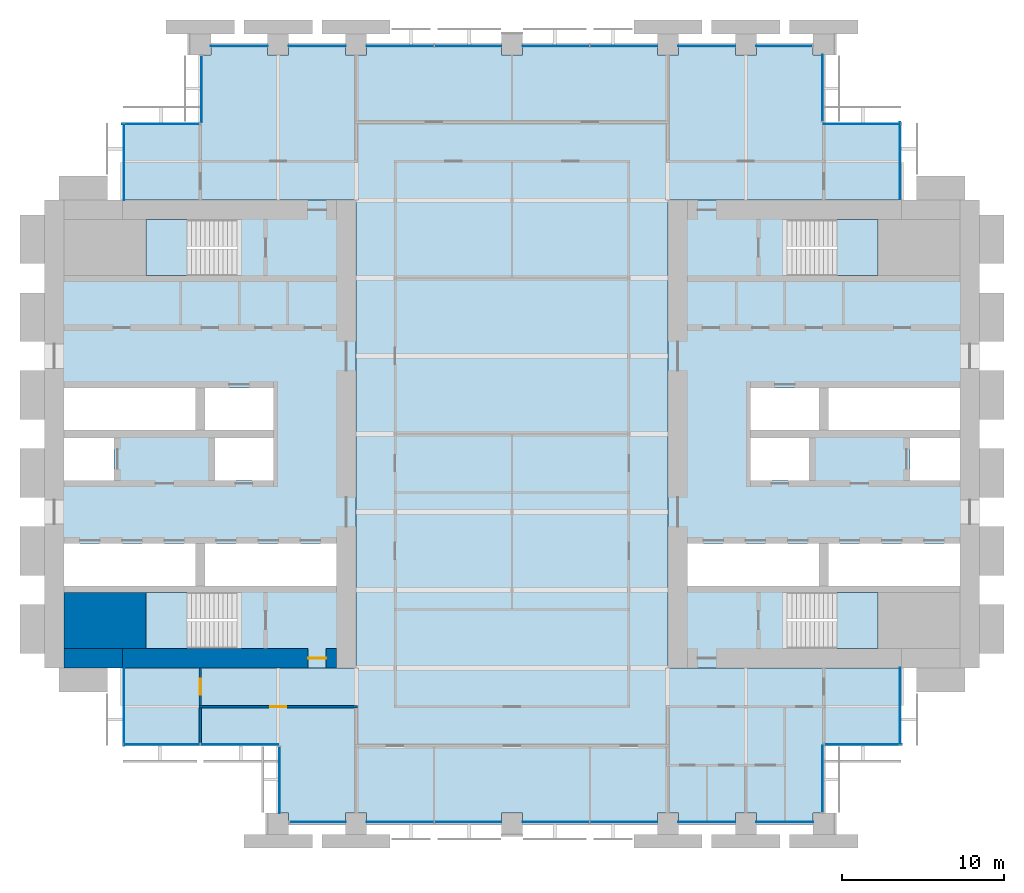
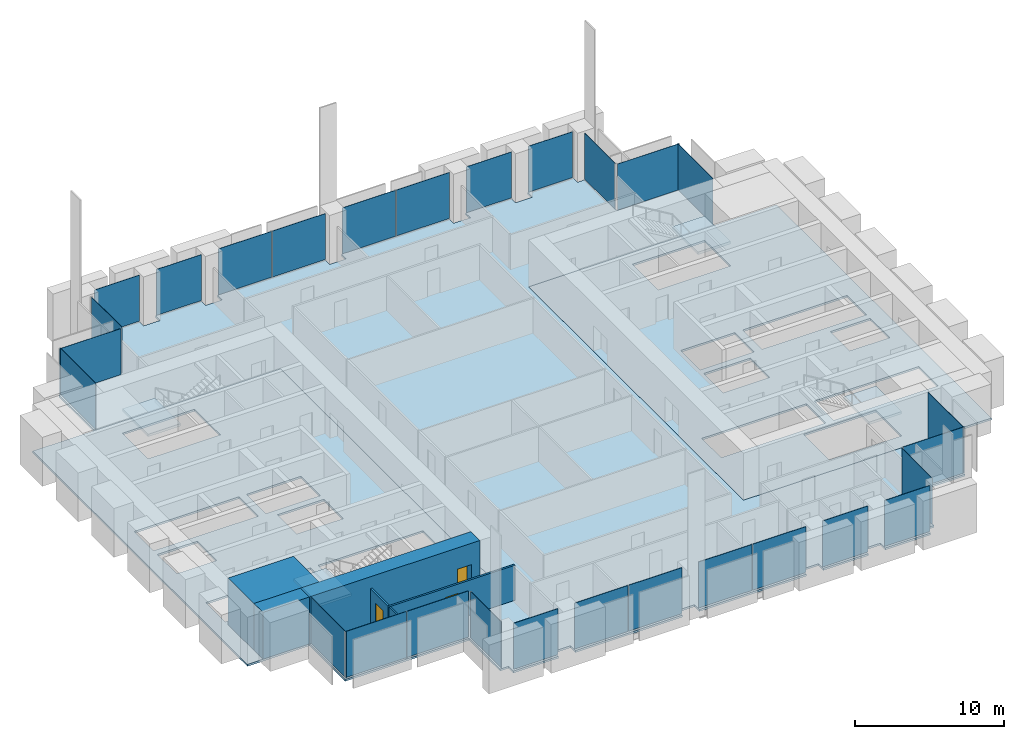
# One storey, part 8 of 14: 28 plates, 7 slabs, 6 walls, 3 doors, 3 openings, 18 elements without a shape of their own.
"""IFC4 building model written with IfcOpenShell, lengths in metres."""

from ifc_helpers import new_model, si_unit, direction, frame, frame_2d, origin, origin_2d, place, context, subcontext, project, spatial, polyline, rectangle, outline, extrude, material, layer, layer_set, type_object, element, fill, aggregate, save


model = new_model("IFC4")

# Units and contexts
model_context = context("Model", 3, precision=1e-05, world=origin(), true_north=direction((0.0, 1.0)))
body_context = subcontext(model_context, "Body", "Model", "MODEL_VIEW")
ifc_project = project(units=[si_unit("LENGTHUNIT", "METRE"), si_unit("AREAUNIT", "SQUARE_METRE"), si_unit("VOLUMEUNIT", "CUBIC_METRE"), si_unit("PLANEANGLEUNIT", "RADIAN"), si_unit("MASSUNIT", "GRAM", prefix="KILO")], contexts=[model_context])

# Site, building, storey
site_placement = place(None, origin())
site = spatial("IfcSite", under=ifc_project, at=site_placement, CompositionType="ELEMENT")
building_placement = place(site_placement, origin())
building = spatial("IfcBuilding", under=site, at=building_placement, Name="Baori Bourse Tower", CompositionType="ELEMENT")
storey_placement = place(building_placement, frame((0.0, 0.0, 51.0)))
storey = spatial("IfcBuildingStorey", under=building, at=storey_placement, Name="L10", CompositionType="ELEMENT", Elevation=51.0)

# Curtain wall, plates
ifc_material_1 = material(Name="Pale anodised aluminium", Category="aluminium")
curtain_wall_type_1 = type_object("IfcCurtainWallType", Name="CW1 Curtain wall", PredefinedType="NOTDEFINED", material=ifc_material_1)
curtain_wall_1_placement = place(storey_placement, origin())
curtain_wall_1 = element("IfcCurtainWall", 1, at=curtain_wall_1_placement, inside=storey, type_object=curtain_wall_type_1, Name="Curtain wall CW1 L10 4", PredefinedType="NOTDEFINED")
ifc_material_2 = material(Name="Clear glass", Category="glass")
ifc_layer_1 = layer(ifc_material_2, 0.033935546875)
ifc_layer_set_1 = layer_set([ifc_layer_1], Name="CW1 Curtain wall panel")
plate_type_1 = type_object("IfcPlateType", Name="CW1 Curtain wall panel", PredefinedType="CURTAIN_PANEL", material=ifc_layer_set_1)
plate_1_placement = place(storey_placement, frame((45.570068359375, 47.89990234375, 0.080078125), z_axis=(0.0, 0.0, 1.0), x_axis=(-1.0, 0.0, 0.0)))
plate_1 = element("IfcPlate", 2, at=plate_1_placement, type_object=plate_type_1, Name="Curtain wall CW1 panel", PredefinedType="CURTAIN_PANEL", context=body_context, shape_type="SweptSolid", body=[
    extrude(rectangle(XDim=3.43994140625, YDim=0.033935546875, at=origin_2d()), origin(), (0.0, 0.0, 1.0), 3.760009765625),
])
plate_2_placement = place(storey_placement, frame((40.800048828125, 47.89990234375, 0.080078125), z_axis=(0.0, 0.0, 1.0), x_axis=(-1.0, 0.0, 0.0)))
plate_2 = element("IfcPlate", 3, at=plate_2_placement, type_object=plate_type_1, Name="Curtain wall CW1 panel", PredefinedType="CURTAIN_PANEL", context=body_context, shape_type="SweptSolid", body=[
    extrude(rectangle(XDim=3.5, YDim=0.033935546875, at=origin_2d()), origin(), (0.0, 0.0, 1.0), 3.760009765625),
])
plate_3_placement = place(storey_placement, frame((35.68994140625, 47.89990234375, 0.080078125), z_axis=(0.0, 0.0, 1.0), x_axis=(-1.0, 0.0, 0.0)))
plate_3 = element("IfcPlate", 4, at=plate_3_placement, type_object=plate_type_1, Name="Curtain wall CW1 panel", PredefinedType="CURTAIN_PANEL", context=body_context, shape_type="SweptSolid", body=[
    extrude(rectangle(XDim=4.1201171875, YDim=0.033935546875, at=origin_2d()), origin(), (0.0, 0.0, 1.0), 3.760009765625),
])
plate_4_placement = place(storey_placement, frame((31.510009765625, 47.89990234375, 0.080078125), z_axis=(0.0, 0.0, 1.0), x_axis=(-1.0, 0.0, 0.0)))
plate_4 = element("IfcPlate", 5, at=plate_4_placement, type_object=plate_type_1, Name="Curtain wall CW1 panel", PredefinedType="CURTAIN_PANEL", context=body_context, shape_type="SweptSolid", body=[
    extrude(rectangle(XDim=4.1201171875, YDim=0.033935546875, at=origin_2d()), origin(), (0.0, 0.0, 1.0), 3.760009765625),
])
plate_5_placement = place(storey_placement, frame((26.090087890625, 47.89990234375, 0.080078125), z_axis=(0.0, 0.0, 1.0), x_axis=(-1.0, 0.0, 0.0)))
plate_5 = element("IfcPlate", 6, at=plate_5_placement, type_object=plate_type_1, Name="Curtain wall CW1 panel", PredefinedType="CURTAIN_PANEL", context=body_context, shape_type="SweptSolid", body=[
    extrude(rectangle(XDim=4.1201171875, YDim=0.033935546875, at=origin_2d()), origin(), (0.0, 0.0, 1.0), 3.760009765625),
])
plate_6_placement = place(storey_placement, frame((21.909912109375, 47.89990234375, 0.080078125), z_axis=(0.0, 0.0, 1.0), x_axis=(-1.0, 0.0, 0.0)))
plate_6 = element("IfcPlate", 7, at=plate_6_placement, type_object=plate_type_1, Name="Curtain wall CW1 panel", PredefinedType="CURTAIN_PANEL", context=body_context, shape_type="SweptSolid", body=[
    extrude(rectangle(XDim=4.1201171875, YDim=0.033935546875, at=origin_2d()), origin(), (0.0, 0.0, 1.0), 3.760009765625),
])
plate_7_placement = place(storey_placement, frame((16.800048828125, 47.89990234375, 0.080078125), z_axis=(0.0, 0.0, 1.0), x_axis=(-1.0, 0.0, 0.0)))
plate_7 = element("IfcPlate", 8, at=plate_7_placement, type_object=plate_type_1, Name="Curtain wall CW1 panel", PredefinedType="CURTAIN_PANEL", context=body_context, shape_type="SweptSolid", body=[
    extrude(rectangle(XDim=3.5, YDim=0.033935546875, at=origin_2d()), origin(), (0.0, 0.0, 1.0), 3.760009765625),
])
plate_8_placement = place(storey_placement, frame((12.0, 47.89990234375, 0.080078125), z_axis=(0.0, 0.0, 1.0), x_axis=(-1.0, 0.0, 0.0)))
plate_8 = element("IfcPlate", 9, at=plate_8_placement, type_object=plate_type_1, Name="Curtain wall CW1 panel", PredefinedType="CURTAIN_PANEL", context=body_context, shape_type="SweptSolid", body=[
    extrude(rectangle(XDim=3.5, YDim=0.033935546875, at=origin_2d()), origin(), (0.0, 0.0, 1.0), 3.760009765625),
])
aggregate(curtain_wall_1, [plate_1, plate_2, plate_3, plate_4, plate_5, plate_6, plate_7, plate_8])

curtain_wall_2_placement = place(storey_placement, origin())
curtain_wall_2 = element("IfcCurtainWall", 10, at=curtain_wall_2_placement, inside=storey, type_object=curtain_wall_type_1, Name="Curtain wall CW1 L10 11", PredefinedType="NOTDEFINED")
plate_9_placement = place(storey_placement, frame((16.830078125, 0.10009765625, 0.080078125), z_axis=(0.0, 0.0, 1.0), x_axis=(1.0, 0.0, 0.0)))
plate_9 = element("IfcPlate", 11, at=plate_9_placement, type_object=plate_type_1, Name="Curtain wall CW1 panel", PredefinedType="CURTAIN_PANEL", context=body_context, shape_type="SweptSolid", body=[
    extrude(rectangle(XDim=3.43994140625, YDim=0.033935546875, at=origin_2d()), origin(), (0.0, 0.0, 1.0), 3.760009765625),
])
plate_10_placement = place(storey_placement, frame((21.909912109375, 0.10009765625, 0.080078125), z_axis=(0.0, 0.0, 1.0), x_axis=(1.0, 0.0, 0.0)))
plate_10 = element("IfcPlate", 12, at=plate_10_placement, type_object=plate_type_1, Name="Curtain wall CW1 panel", PredefinedType="CURTAIN_PANEL", context=body_context, shape_type="SweptSolid", body=[
    extrude(rectangle(XDim=4.1201171875, YDim=0.033935546875, at=origin_2d()), origin(), (0.0, 0.0, 1.0), 3.760009765625),
])
plate_11_placement = place(storey_placement, frame((26.090087890625, 0.10009765625, 0.080078125), z_axis=(0.0, 0.0, 1.0), x_axis=(1.0, 0.0, 0.0)))
plate_11 = element("IfcPlate", 13, at=plate_11_placement, type_object=plate_type_1, Name="Curtain wall CW1 panel", PredefinedType="CURTAIN_PANEL", context=body_context, shape_type="SweptSolid", body=[
    extrude(rectangle(XDim=4.1201171875, YDim=0.033935546875, at=origin_2d()), origin(), (0.0, 0.0, 1.0), 3.760009765625),
])
plate_12_placement = place(storey_placement, frame((31.510009765625, 0.10009765625, 0.080078125), z_axis=(0.0, 0.0, 1.0), x_axis=(1.0, 0.0, 0.0)))
plate_12 = element("IfcPlate", 14, at=plate_12_placement, type_object=plate_type_1, Name="Curtain wall CW1 panel", PredefinedType="CURTAIN_PANEL", context=body_context, shape_type="SweptSolid", body=[
    extrude(rectangle(XDim=4.1201171875, YDim=0.033935546875, at=origin_2d()), origin(), (0.0, 0.0, 1.0), 3.760009765625),
])
plate_13_placement = place(storey_placement, frame((35.68994140625, 0.10009765625, 0.080078125), z_axis=(0.0, 0.0, 1.0), x_axis=(1.0, 0.0, 0.0)))
plate_13 = element("IfcPlate", 15, at=plate_13_placement, type_object=plate_type_1, Name="Curtain wall CW1 panel", PredefinedType="CURTAIN_PANEL", context=body_context, shape_type="SweptSolid", body=[
    extrude(rectangle(XDim=4.1201171875, YDim=0.033935546875, at=origin_2d()), origin(), (0.0, 0.0, 1.0), 3.760009765625),
])
plate_14_placement = place(storey_placement, frame((40.800048828125, 0.10009765625, 0.080078125), z_axis=(0.0, 0.0, 1.0), x_axis=(1.0, 0.0, 0.0)))
plate_14 = element("IfcPlate", 16, at=plate_14_placement, type_object=plate_type_1, Name="Curtain wall CW1 panel", PredefinedType="CURTAIN_PANEL", context=body_context, shape_type="SweptSolid", body=[
    extrude(rectangle(XDim=3.5, YDim=0.033935546875, at=origin_2d()), origin(), (0.0, 0.0, 1.0), 3.760009765625),
])
plate_15_placement = place(storey_placement, frame((45.60009765625, 0.10009765625, 0.080078125), z_axis=(0.0, 0.0, 1.0), x_axis=(1.0, 0.0, 0.0)))
plate_15 = element("IfcPlate", 17, at=plate_15_placement, type_object=plate_type_1, Name="Curtain wall CW1 panel", PredefinedType="CURTAIN_PANEL", context=body_context, shape_type="SweptSolid", body=[
    extrude(rectangle(XDim=3.5, YDim=0.033935546875, at=origin_2d()), origin(), (0.0, 0.0, 1.0), 3.760009765625),
])
aggregate(curtain_wall_2, [plate_9, plate_10, plate_11, plate_12, plate_13, plate_14, plate_15])

# Curtain wall, plate
ifc_material_3 = material(Name="Pale anodised aluminium", Category="aluminium")
curtain_wall_type_2 = type_object("IfcCurtainWallType", Name="CW2 Curtain wall", PredefinedType="NOTDEFINED", material=ifc_material_3)
curtain_wall_3_placement = place(storey_placement, origin())
curtain_wall_3 = element("IfcCurtainWall", 18, at=curtain_wall_3_placement, inside=storey, type_object=curtain_wall_type_2, Name="Curtain wall CW2 L10 1", PredefinedType="NOTDEFINED")
ifc_material_4 = material(Name="Clear glass", Category="glass")
ifc_layer_2 = layer(ifc_material_4, 0.030029296875)
ifc_layer_set_2 = layer_set([ifc_layer_2], Name="CW2 Curtain wall panel")
plate_type_2 = type_object("IfcPlateType", Name="CW2 Curtain wall panel", PredefinedType="CURTAIN_PANEL", material=ifc_layer_set_2)
plate_16_placement = place(storey_placement, frame((52.7099609375, 40.827392578125, 0.070068359375), z_axis=(0.0, 0.0, 1.0), x_axis=(0.0, 1.0, 0.0)))
plate_16 = element("IfcPlate", 19, at=plate_16_placement, type_object=plate_type_2, Name="Curtain wall CW2 panel", PredefinedType="CURTAIN_PANEL", context=body_context, shape_type="SweptSolid", body=[
    extrude(rectangle(XDim=4.7451171875, YDim=0.030029296875, at=origin_2d()), origin(), (0.0, 0.0, 1.0), 3.77001953125),
])
aggregate(curtain_wall_3, [plate_16])

curtain_wall_4_placement = place(storey_placement, origin())
curtain_wall_4 = element("IfcCurtainWall", 20, at=curtain_wall_4_placement, inside=storey, type_object=curtain_wall_type_2, Name="Curtain wall CW2 L10 2", PredefinedType="NOTDEFINED")
plate_17_placement = place(storey_placement, frame((50.37255859375, 43.110107421875, 0.070068359375), z_axis=(0.0, 0.0, 1.0), x_axis=(-1.0, 0.0, 0.0)))
plate_17 = element("IfcPlate", 21, at=plate_17_placement, type_object=plate_type_2, Name="Curtain wall CW2 panel", PredefinedType="CURTAIN_PANEL", context=body_context, shape_type="SweptSolid", body=[
    extrude(rectangle(XDim=4.7451171875, YDim=0.030029296875, at=origin_2d()), origin(), (0.0, 0.0, 1.0), 3.77001953125),
])
aggregate(curtain_wall_4, [plate_17])

curtain_wall_5_placement = place(storey_placement, origin())
curtain_wall_5 = element("IfcCurtainWall", 22, at=curtain_wall_5_placement, inside=storey, type_object=curtain_wall_type_2, Name="Curtain wall CW2 L10 3", PredefinedType="NOTDEFINED")
plate_18_placement = place(storey_placement, frame((47.909912109375, 45.302490234375, 0.070068359375), z_axis=(0.0, 0.0, 1.0), x_axis=(0.0, 1.0, 0.0)))
plate_18 = element("IfcPlate", 23, at=plate_18_placement, type_object=plate_type_2, Name="Curtain wall CW2 panel", PredefinedType="CURTAIN_PANEL", context=body_context, shape_type="SweptSolid", body=[
    extrude(rectangle(XDim=4.094970703125, YDim=0.030029296875, at=origin_2d()), origin(), (0.0, 0.0, 1.0), 3.77001953125),
])
aggregate(curtain_wall_5, [plate_18])

curtain_wall_6_placement = place(storey_placement, origin())
curtain_wall_6 = element("IfcCurtainWall", 24, at=curtain_wall_6_placement, inside=storey, type_object=curtain_wall_type_2, Name="Curtain wall CW2 L10 5", PredefinedType="NOTDEFINED")
plate_19_placement = place(storey_placement, frame((9.68994140625, 45.24755859375, 0.070068359375), z_axis=(0.0, 0.0, 1.0), x_axis=(0.0, -1.0, 0.0)))
plate_19 = element("IfcPlate", 25, at=plate_19_placement, type_object=plate_type_2, Name="Curtain wall CW2 panel", PredefinedType="CURTAIN_PANEL", context=body_context, shape_type="SweptSolid", body=[
    extrude(rectangle(XDim=4.094970703125, YDim=0.030029296875, at=origin_2d()), origin(), (0.0, 0.0, 1.0), 3.77001953125),
])
aggregate(curtain_wall_6, [plate_19])

curtain_wall_7_placement = place(storey_placement, origin())
curtain_wall_7 = element("IfcCurtainWall", 26, at=curtain_wall_7_placement, inside=storey, type_object=curtain_wall_type_2, Name="Curtain wall CW2 L10 6", PredefinedType="NOTDEFINED")
plate_20_placement = place(storey_placement, frame((7.172607421875, 43.110107421875, 0.070068359375), z_axis=(0.0, 0.0, 1.0), x_axis=(-1.0, 0.0, 0.0)))
plate_20 = element("IfcPlate", 27, at=plate_20_placement, type_object=plate_type_2, Name="Curtain wall CW2 panel", PredefinedType="CURTAIN_PANEL", context=body_context, shape_type="SweptSolid", body=[
    extrude(rectangle(XDim=4.7451171875, YDim=0.030029296875, at=origin_2d()), origin(), (0.0, 0.0, 1.0), 3.77001953125),
])
aggregate(curtain_wall_7, [plate_20])

curtain_wall_8_placement = place(storey_placement, origin())
curtain_wall_8 = element("IfcCurtainWall", 28, at=curtain_wall_8_placement, inside=storey, type_object=curtain_wall_type_2, Name="Curtain wall CW2 L10 7", PredefinedType="NOTDEFINED")
plate_21_placement = place(storey_placement, frame((4.889892578125, 40.7724609375, 0.070068359375), z_axis=(0.0, 0.0, 1.0), x_axis=(0.0, -1.0, 0.0)))
plate_21 = element("IfcPlate", 29, at=plate_21_placement, type_object=plate_type_2, Name="Curtain wall CW2 panel", PredefinedType="CURTAIN_PANEL", context=body_context, shape_type="SweptSolid", body=[
    extrude(rectangle(XDim=4.7451171875, YDim=0.030029296875, at=origin_2d()), origin(), (0.0, 0.0, 1.0), 3.77001953125),
])
aggregate(curtain_wall_8, [plate_21])

curtain_wall_9_placement = place(storey_placement, origin())
curtain_wall_9 = element("IfcCurtainWall", 30, at=curtain_wall_9_placement, inside=storey, type_object=curtain_wall_type_2, Name="Curtain wall CW2 L10 8", PredefinedType="NOTDEFINED")
plate_22_placement = place(storey_placement, frame((4.889892578125, 7.172607421875, 0.070068359375), z_axis=(0.0, 0.0, 1.0), x_axis=(0.0, -1.0, 0.0)))
plate_22 = element("IfcPlate", 31, at=plate_22_placement, type_object=plate_type_2, Name="Curtain wall CW2 panel", PredefinedType="CURTAIN_PANEL", context=body_context, shape_type="SweptSolid", body=[
    extrude(rectangle(XDim=4.7451171875, YDim=0.030029296875, at=origin_2d()), origin(), (0.0, 0.0, 1.0), 3.77001953125),
])
aggregate(curtain_wall_9, [plate_22])

# Curtain wall, plates
curtain_wall_10_placement = place(storey_placement, origin())
curtain_wall_10 = element("IfcCurtainWall", 32, at=curtain_wall_10_placement, inside=storey, type_object=curtain_wall_type_2, Name="Curtain wall CW2 L10 9", PredefinedType="NOTDEFINED")
plate_23_placement = place(storey_placement, frame((7.2138671875, 4.889892578125, 0.070068359375), z_axis=(0.0, 0.0, 1.0), x_axis=(1.0, 0.0, 0.0)))
plate_23 = element("IfcPlate", 33, at=plate_23_placement, type_object=plate_type_2, Name="Curtain wall CW2 panel", PredefinedType="CURTAIN_PANEL", context=body_context, shape_type="SweptSolid", body=[
    extrude(rectangle(XDim=4.717529296875, YDim=0.030029296875, at=origin_2d()), origin(), (0.0, 0.0, 1.0), 3.77001953125),
])
plate_24_placement = place(storey_placement, frame((12.013671875, 4.889892578125, 0.070068359375), z_axis=(0.0, 0.0, 1.0), x_axis=(1.0, 0.0, 0.0)))
plate_24 = element("IfcPlate", 34, at=plate_24_placement, type_object=plate_type_2, Name="Curtain wall CW2 panel", PredefinedType="CURTAIN_PANEL", context=body_context, shape_type="SweptSolid", body=[
    extrude(rectangle(XDim=4.7724609375, YDim=0.030029296875, at=origin_2d()), origin(), (0.0, 0.0, 1.0), 3.77001953125),
])
aggregate(curtain_wall_10, [plate_23, plate_24])

# Curtain wall, plate
curtain_wall_11_placement = place(storey_placement, origin())
curtain_wall_11 = element("IfcCurtainWall", 35, at=curtain_wall_11_placement, inside=storey, type_object=curtain_wall_type_2, Name="Curtain wall CW2 L10 10", PredefinedType="NOTDEFINED")
plate_25_placement = place(storey_placement, frame((14.489990234375, 2.697509765625, 0.070068359375), z_axis=(0.0, 0.0, 1.0), x_axis=(0.0, -1.0, 0.0)))
plate_25 = element("IfcPlate", 36, at=plate_25_placement, type_object=plate_type_2, Name="Curtain wall CW2 panel", PredefinedType="CURTAIN_PANEL", context=body_context, shape_type="SweptSolid", body=[
    extrude(rectangle(XDim=4.094970703125, YDim=0.030029296875, at=origin_2d()), origin(), (0.0, 0.0, 1.0), 3.77001953125),
])
aggregate(curtain_wall_11, [plate_25])

curtain_wall_12_placement = place(storey_placement, origin())
curtain_wall_12 = element("IfcCurtainWall", 37, at=curtain_wall_12_placement, inside=storey, type_object=curtain_wall_type_2, Name="Curtain wall CW2 L10 12", PredefinedType="NOTDEFINED")
plate_26_placement = place(storey_placement, frame((47.909912109375, 2.75244140625, 0.070068359375), z_axis=(0.0, 0.0, 1.0), x_axis=(0.0, 1.0, 0.0)))
plate_26 = element("IfcPlate", 38, at=plate_26_placement, type_object=plate_type_2, Name="Curtain wall CW2 panel", PredefinedType="CURTAIN_PANEL", context=body_context, shape_type="SweptSolid", body=[
    extrude(rectangle(XDim=4.094970703125, YDim=0.030029296875, at=origin_2d()), origin(), (0.0, 0.0, 1.0), 3.77001953125),
])
aggregate(curtain_wall_12, [plate_26])

curtain_wall_13_placement = place(storey_placement, origin())
curtain_wall_13 = element("IfcCurtainWall", 39, at=curtain_wall_13_placement, inside=storey, type_object=curtain_wall_type_2, Name="Curtain wall CW2 L10 13", PredefinedType="NOTDEFINED")
plate_27_placement = place(storey_placement, frame((50.427490234375, 4.889892578125, 0.070068359375), z_axis=(0.0, 0.0, 1.0), x_axis=(1.0, 0.0, 0.0)))
plate_27 = element("IfcPlate", 40, at=plate_27_placement, type_object=plate_type_2, Name="Curtain wall CW2 panel", PredefinedType="CURTAIN_PANEL", context=body_context, shape_type="SweptSolid", body=[
    extrude(rectangle(XDim=4.7451171875, YDim=0.030029296875, at=origin_2d()), origin(), (0.0, 0.0, 1.0), 3.77001953125),
])
aggregate(curtain_wall_13, [plate_27])

curtain_wall_14_placement = place(storey_placement, origin())
curtain_wall_14 = element("IfcCurtainWall", 41, at=curtain_wall_14_placement, inside=storey, type_object=curtain_wall_type_2, Name="Curtain wall CW2 L10 14", PredefinedType="NOTDEFINED")
plate_28_placement = place(storey_placement, frame((52.7099609375, 7.2275390625, 0.070068359375), z_axis=(0.0, 0.0, 1.0), x_axis=(0.0, 1.0, 0.0)))
plate_28 = element("IfcPlate", 42, at=plate_28_placement, type_object=plate_type_2, Name="Curtain wall CW2 panel", PredefinedType="CURTAIN_PANEL", context=body_context, shape_type="SweptSolid", body=[
    extrude(rectangle(XDim=4.7451171875, YDim=0.030029296875, at=origin_2d()), origin(), (0.0, 0.0, 1.0), 3.77001953125),
])
aggregate(curtain_wall_14, [plate_28])

# Slabs
ifc_material_5 = material(Name="Concrete f'c 50 MPa", Category="concrete")
ifc_layer_3 = layer(ifc_material_5, 0.159912109375)
ifc_layer_set_3 = layer_set([ifc_layer_3], Name="Core slab 160")
slab_type_1 = type_object("IfcSlabType", Name="Core slab 160", PredefinedType="FLOOR", material=ifc_layer_set_3)
slab_1_placement = place(storey_placement, frame((0.0, 0.0, -0.159912109375)))
element("IfcSlab", 43, at=slab_1_placement, inside=storey, type_object=slab_type_1, Name="Core floor slab W01", PredefinedType="FLOOR", context=body_context, shape_type="SweptSolid", body=[
    extrude(outline(polyline([(19.199951171875, 9.60009765625), (19.199951171875, 38.39990234375), (0.0, 38.39990234375), (0.0, 9.60009765625), (19.199951171875, 9.60009765625)]), holes=[polyline([(9.89990234375, 14.64990234375), (9.89990234375, 17.25), (18.0, 17.25), (18.0, 14.64990234375), (9.89990234375, 14.64990234375)]), polyline([(10.5, 21.14990234375), (10.5, 23.75), (14.10009765625, 23.75), (14.10009765625, 21.14990234375), (10.5, 21.14990234375)]), polyline([(14.10009765625, 24.25), (9.89990234375, 24.25), (9.89990234375, 26.85009765625), (14.10009765625, 26.85009765625), (14.10009765625, 24.25)]), polyline([(6.25, 14.25), (11.84912109375, 14.25), (11.84912109375, 10.800048828125), (6.25, 10.800048828125), (6.25, 14.25)]), polyline([(11.84912109375, 37.199951171875), (11.84912109375, 33.75), (6.25, 33.75), (6.25, 37.199951171875), (11.84912109375, 37.199951171875)]), polyline([(1.199951171875, 26.85009765625), (9.300048828125, 26.85009765625), (9.300048828125, 24.25), (1.199951171875, 24.25), (1.199951171875, 26.85009765625)]), polyline([(9.300048828125, 14.64990234375), (1.199951171875, 14.64990234375), (1.199951171875, 17.25), (9.300048828125, 17.25), (9.300048828125, 14.64990234375)]), polyline([(4.300048828125, 23.75), (4.300048828125, 21.14990234375), (1.199951171875, 21.14990234375), (1.199951171875, 23.75), (4.300048828125, 23.75)])]), origin(), (0.0, 0.0, 1.0), 0.159912109375),
])
slab_2_placement = place(storey_placement, frame((0.0, 0.0, -0.159912109375)))
element("IfcSlab", 44, at=slab_2_placement, inside=storey, type_object=slab_type_1, Name="Core floor slab E01", PredefinedType="FLOOR", context=body_context, shape_type="SweptSolid", body=[
    extrude(outline(polyline([(38.39990234375, 9.60009765625), (57.60009765625, 9.60009765625), (57.60009765625, 38.39990234375), (38.39990234375, 38.39990234375), (38.39990234375, 9.60009765625)]), holes=[polyline([(48.300048828125, 14.64990234375), (48.300048828125, 17.25), (56.39990234375, 17.25), (56.39990234375, 14.64990234375), (48.300048828125, 14.64990234375)]), polyline([(56.39990234375, 21.14990234375), (53.300048828125, 21.14990234375), (53.300048828125, 23.75), (56.39990234375, 23.75), (56.39990234375, 21.14990234375)]), polyline([(56.39990234375, 26.85009765625), (56.39990234375, 24.25), (48.300048828125, 24.25), (48.300048828125, 26.85009765625), (56.39990234375, 26.85009765625)]), polyline([(45.750732421875, 14.25), (51.35009765625, 14.25), (51.35009765625, 10.800048828125), (45.750732421875, 10.800048828125), (45.750732421875, 14.25)]), polyline([(51.35009765625, 37.199951171875), (51.35009765625, 33.75), (45.750732421875, 33.75), (45.750732421875, 37.199951171875), (51.35009765625, 37.199951171875)]), polyline([(39.60009765625, 17.25), (47.699951171875, 17.25), (47.699951171875, 14.64990234375), (39.60009765625, 14.64990234375), (39.60009765625, 17.25)]), polyline([(43.5, 24.25), (43.5, 26.85009765625), (47.699951171875, 26.85009765625), (47.699951171875, 24.25), (43.5, 24.25)]), polyline([(43.5, 23.75), (47.10009765625, 23.75), (47.10009765625, 21.14990234375), (43.5, 21.14990234375), (43.5, 23.75)])]), origin(), (0.0, 0.0, 1.0), 0.159912109375),
])

# Stair, slab
ifc_material_6 = material(Name="Concrete f'c 50 MPa", Category="concrete")
stair_type = type_object("IfcStairType", Name="Core stair", PredefinedType="HALF_TURN_STAIR", material=ifc_material_6)
stair_1_placement = place(storey_placement, origin())
stair_1 = element("IfcStair", 45, at=stair_1_placement, inside=storey, type_object=stair_type, Name="L10 Stair WA", PredefinedType="HALF_TURN_STAIR")
ifc_material_7 = material(Name="Concrete f'c 50 MPa", Category="concrete")
slab_type_2 = type_object("IfcSlabType", Name="Core stair landing", PredefinedType="LANDING", material=ifc_material_7)
slab_3_placement = place(storey_placement, frame((0.0, 0.0, 1.800048828125)))
slab_3 = element("IfcSlab", 46, at=slab_3_placement, type_object=slab_type_2, Name="ST1 landing 1", PredefinedType="LANDING", context=body_context, shape_type="SweptSolid", body=[
    extrude(outline(polyline([(8.77001953125, 14.25), (6.25, 14.25), (6.25, 10.800048828125), (8.77001953125, 10.800048828125), (8.77001953125, 14.25)])), origin(), (0.0, 0.0, 1.0), 0.199951171875),
])
aggregate(stair_1, [slab_3])

stair_2_placement = place(storey_placement, origin())
stair_2 = element("IfcStair", 47, at=stair_2_placement, inside=storey, type_object=stair_type, Name="L10 Stair WB", PredefinedType="HALF_TURN_STAIR")
slab_4_placement = place(storey_placement, frame((0.0, 0.0, 1.800048828125)))
slab_4 = element("IfcSlab", 48, at=slab_4_placement, type_object=slab_type_2, Name="ST2 landing 1", PredefinedType="LANDING", context=body_context, shape_type="SweptSolid", body=[
    extrude(outline(polyline([(8.77001953125, 37.199951171875), (6.25, 37.199951171875), (6.25, 33.75), (8.77001953125, 33.75), (8.77001953125, 37.199951171875)])), origin(), (0.0, 0.0, 1.0), 0.199951171875),
])
aggregate(stair_2, [slab_4])

stair_3_placement = place(storey_placement, origin())
stair_3 = element("IfcStair", 49, at=stair_3_placement, inside=storey, type_object=stair_type, Name="L10 Stair EA", PredefinedType="HALF_TURN_STAIR")
slab_5_placement = place(storey_placement, frame((0.0, 0.0, 1.800048828125)))
slab_5 = element("IfcSlab", 50, at=slab_5_placement, type_object=slab_type_2, Name="ST3 landing 1", PredefinedType="LANDING", context=body_context, shape_type="SweptSolid", body=[
    extrude(outline(polyline([(48.830078125, 10.800048828125), (51.35009765625, 10.800048828125), (51.35009765625, 14.25), (48.830078125, 14.25), (48.830078125, 10.800048828125)])), origin(), (0.0, 0.0, 1.0), 0.199951171875),
])
aggregate(stair_3, [slab_5])

stair_4_placement = place(storey_placement, origin())
stair_4 = element("IfcStair", 51, at=stair_4_placement, inside=storey, type_object=stair_type, Name="L10 Stair EB", PredefinedType="HALF_TURN_STAIR")
slab_6_placement = place(storey_placement, frame((0.0, 0.0, 1.800048828125)))
slab_6 = element("IfcSlab", 52, at=slab_6_placement, type_object=slab_type_2, Name="ST4 landing 1", PredefinedType="LANDING", context=body_context, shape_type="SweptSolid", body=[
    extrude(outline(polyline([(48.830078125, 33.75), (51.35009765625, 33.75), (51.35009765625, 37.199951171875), (48.830078125, 37.199951171875), (48.830078125, 33.75)])), origin(), (0.0, 0.0, 1.0), 0.199951171875),
])
aggregate(stair_4, [slab_6])

# Slab
ifc_material_8 = material(Name="Concrete f'c 40 MPa", Category="concrete")
ifc_layer_4 = layer(ifc_material_8, 0.159912109375)
ifc_layer_set_4 = layer_set([ifc_layer_4], Name="Floor slab 160")
slab_type_3 = type_object("IfcSlabType", Name="Floor slab 160", PredefinedType="FLOOR", material=ifc_layer_set_4)
slab_7_placement = place(storey_placement, frame((0.0, 0.0, -0.159912109375)))
element("IfcSlab", 53, at=slab_7_placement, inside=storey, type_object=slab_type_3, Name="Floor slab L10", PredefinedType="FLOOR", context=body_context, shape_type="SweptSolid", body=[
    extrude(outline(polyline([(14.39990234375, 4.800048828125), (4.800048828125, 4.800048828125), (4.800048828125, 9.60009765625), (19.199951171875, 9.60009765625), (19.199951171875, 38.39990234375), (4.800048828125, 38.39990234375), (4.800048828125, 43.199951171875), (9.60009765625, 43.199951171875), (9.60009765625, 47.35009765625), (10.25, 47.35009765625), (10.25, 48.0), (13.75, 48.0), (13.75, 47.35009765625), (15.050048828125, 47.35009765625), (15.050048828125, 48.0), (18.550048828125, 48.0), (18.550048828125, 47.35009765625), (19.85009765625, 47.35009765625), (19.85009765625, 48.0), (28.14990234375, 48.0), (28.14990234375, 47.35009765625), (29.449951171875, 47.35009765625), (29.449951171875, 48.0), (37.75, 48.0), (37.75, 47.35009765625), (39.050048828125, 47.35009765625), (39.050048828125, 48.0), (42.550048828125, 48.0), (42.550048828125, 47.35009765625), (43.85009765625, 47.35009765625), (43.85009765625, 48.0), (47.35009765625, 48.0), (47.35009765625, 47.35009765625), (48.0, 47.35009765625), (48.0, 43.199951171875), (52.800048828125, 43.199951171875), (52.800048828125, 38.39990234375), (38.39990234375, 38.39990234375), (38.39990234375, 9.60009765625), (52.800048828125, 9.60009765625), (52.800048828125, 4.800048828125), (48.0, 4.800048828125), (48.0, 0.64990234375), (47.35009765625, 0.64990234375), (47.35009765625, 0.0), (43.85009765625, 0.0), (43.85009765625, 0.64990234375), (42.550048828125, 0.64990234375), (42.550048828125, 0.0), (39.050048828125, 0.0), (39.050048828125, 0.64990234375), (37.75, 0.64990234375), (37.75, 0.0), (29.449951171875, 0.0), (29.449951171875, 0.64990234375), (28.14990234375, 0.64990234375), (28.14990234375, 0.0), (19.85009765625, 0.0), (19.85009765625, 0.64990234375), (18.550048828125, 0.64990234375), (18.550048828125, 0.0), (15.050048828125, 0.0), (15.050048828125, 0.64990234375), (14.39990234375, 0.64990234375), (14.39990234375, 4.800048828125)])), origin(), (0.0, 0.0, 1.0), 0.159912109375),
])

# Walls
ifc_material_9 = material(Name="Concrete f'c 70 MPa", Category="concrete")
wall_type_1 = type_object("IfcWallType", Name="Core corner block f'c 70", PredefinedType="SHEAR", material=ifc_material_9)
wall_1_placement = place(storey_placement, frame((1.199951171875, 12.52490234375, 0.0), z_axis=(0.0, 0.0, 1.0), x_axis=(1.0, 0.0, 0.0)))
element("IfcWall", 54, at=wall_1_placement, inside=storey, type_object=wall_type_1, Name="Core wall W05", PredefinedType="SHEAR", context=body_context, shape_type="SweptSolid", body=[
    extrude(rectangle(XDim=5.050048828125, YDim=3.449951171875, at=frame_2d((2.52490234375, 0.0))), origin(), (0.0, 0.0, 1.0), 3.840087890625),
])
ifc_material_10 = material(Name="Concrete f'c 70 MPa", Category="concrete")
ifc_layer_5 = layer(ifc_material_10, 1.199951171875)
ifc_layer_set_5 = layer_set([ifc_layer_5], Name="Core wall 1200 f'c 70")
wall_type_2 = type_object("IfcWallType", Name="Core wall 1200 f'c 70", PredefinedType="SHEAR", material=ifc_layer_set_5)
wall_2_placement = place(storey_placement, frame((4.800048828125, 10.199951171875, 0.0), z_axis=(0.0, 0.0, 1.0), x_axis=(-1.0, 0.0, 0.0)))
element("IfcWall", 55, at=wall_2_placement, inside=storey, type_object=wall_type_2, Name="Core wall W02", PredefinedType="SHEAR", context=body_context, shape_type="SweptSolid", body=[
    extrude(rectangle(XDim=3.60009765625, YDim=1.199951171875, at=frame_2d((1.800048828125, 0.0))), origin(), (0.0, 0.0, 1.0), 3.840087890625),
])

# Wall, opening, door
wall_3_placement = place(storey_placement, frame((18.0, 10.199951171875, 0.0), z_axis=(0.0, 0.0, 1.0), x_axis=(-1.0, 0.0, 0.0)))
wall_3 = element("IfcWall", 56, at=wall_3_placement, inside=storey, type_object=wall_type_2, Name="Core wall W03", PredefinedType="SHEAR", context=body_context, shape_type="SweptSolid", body=[
    extrude(rectangle(XDim=13.199951171875, YDim=1.199951171875, at=frame_2d((6.60009765625, 0.0))), origin(), (0.0, 0.0, 1.0), 3.840087890625),
])
opening_1_placement = place(wall_3_placement, frame((0.64990234375, 0.0, 0.0)))
opening_1 = element("IfcOpeningElement", 57, at=opening_1_placement, cuts=wall_3, Name="Opening L10-D102", PredefinedType="OPENING", context=body_context, shape_type="SweptSolid", body=[
    extrude(rectangle(XDim=1.10009765625, YDim=2.10009765625, at=frame_2d((0.550048828125, 1.050048828125))), frame((0.0, 0.60986328125, 0.0), z_axis=(0.0, -1.0, 0.0), x_axis=(1.0, 0.0, 0.0)), (0.0, 0.0, 1.0), 1.219970703125),
])
ifc_material_11 = material(Name="Painted steel door", Category="steel")
door_type_1 = type_object("IfcDoorType", Name="Stair door 1100", OperationType="SINGLE_SWING_LEFT", PredefinedType="DOOR", material=ifc_material_11)
door_1_placement = place(opening_1_placement, origin())
door_1 = element("IfcDoor", 58, at=door_1_placement, inside=storey, type_object=door_type_1, Name="Stair vestibule door A W L10", OperationType="SINGLE_SWING_LEFT", OverallHeight=2.10009765625, OverallWidth=1.10009765625, PredefinedType="DOOR", context=body_context, shape_type="SweptSolid", body=[
    extrude(rectangle(XDim=1.10009765625, YDim=2.10009765625, at=frame_2d((0.550048828125, 1.050048828125))), frame((0.0, 0.02490234375, 0.0), z_axis=(0.0, -1.0, 0.0), x_axis=(1.0, 0.0, 0.0)), (0.0, 0.0, 1.0), 0.050048828125),
])
fill(opening_1, door_1)

ifc_material_12 = material(Name="Gypsum board partition")
ifc_layer_6 = layer(ifc_material_12, 0.14990234375)
ifc_layer_set_6 = layer_set([ifc_layer_6], Name="Corridor partition 150")
wall_type_3 = type_object("IfcWallType", Name="Corridor partition 150", PredefinedType="PARTITIONING", material=ifc_layer_set_6)
wall_4_placement = place(storey_placement, frame((9.52490234375, 7.199951171875, 0.0), z_axis=(0.0, 0.0, 1.0), x_axis=(1.0, 0.0, 0.0)))
wall_4 = element("IfcWall", 59, at=wall_4_placement, inside=storey, type_object=wall_type_3, Name="Partition", PredefinedType="PARTITIONING", context=body_context, shape_type="SweptSolid", body=[
    extrude(rectangle(XDim=9.75, YDim=0.14990234375, at=frame_2d((4.875, 0.0))), origin(), (0.0, 0.0, 1.0), 2.86962890625),
])
opening_2_placement = place(wall_4_placement, frame((4.375, 0.0, 0.0)))
opening_2 = element("IfcOpeningElement", 60, at=opening_2_placement, cuts=wall_4, Name="Opening L10-D07", PredefinedType="OPENING", context=body_context, shape_type="SweptSolid", body=[
    extrude(rectangle(XDim=1.0, YDim=2.10009765625, at=frame_2d((0.5, 1.050048828125))), frame((0.0, 0.0849609375, 0.0), z_axis=(0.0, -1.0, 0.0), x_axis=(1.0, 0.0, 0.0)), (0.0, 0.0, 1.0), 0.169921875),
])
ifc_material_13 = material(Name="Timber door leaf", Category="wood")
door_type_2 = type_object("IfcDoorType", Name="Door 1000 x 2100", OperationType="SINGLE_SWING_LEFT", PredefinedType="DOOR", material=ifc_material_13)
door_2_placement = place(opening_2_placement, origin())
door_2 = element("IfcDoor", 61, at=door_2_placement, inside=storey, type_object=door_type_2, Name="Door", OperationType="SINGLE_SWING_RIGHT", OverallHeight=2.10009765625, OverallWidth=1.0, PredefinedType="DOOR", context=body_context, shape_type="SweptSolid", body=[
    extrude(rectangle(XDim=1.0, YDim=2.10009765625, at=frame_2d((0.5, 1.050048828125))), frame((0.0, 0.02490234375, 0.0), z_axis=(0.0, -1.0, 0.0), x_axis=(1.0, 0.0, 0.0)), (0.0, 0.0, 1.0), 0.050048828125),
])
fill(opening_2, door_2)

wall_5_placement = place(storey_placement, frame((9.60009765625, 7.27490234375, 0.0), z_axis=(0.0, 0.0, 1.0), x_axis=(0.0, 1.0, 0.0)))
wall_5 = element("IfcWall", 62, at=wall_5_placement, inside=storey, type_object=wall_type_3, Name="Partition", PredefinedType="PARTITIONING", context=body_context, shape_type="SweptSolid", body=[
    extrude(rectangle(XDim=2.3251953125, YDim=0.14990234375, at=frame_2d((1.16259765625, 0.0))), origin(), (0.0, 0.0, 1.0), 2.86962890625),
])
opening_3_placement = place(wall_5_placement, frame((0.66259765625, 0.0, 0.0)))
opening_3 = element("IfcOpeningElement", 63, at=opening_3_placement, cuts=wall_5, Name="Opening L10-D17", PredefinedType="OPENING", context=body_context, shape_type="SweptSolid", body=[
    extrude(rectangle(XDim=1.0, YDim=2.10009765625, at=frame_2d((0.5, 1.050048828125))), frame((0.0, 0.0849609375, 0.0), z_axis=(0.0, -1.0, 0.0), x_axis=(1.0, 0.0, 0.0)), (0.0, 0.0, 1.0), 0.169921875),
])
door_3_placement = place(opening_3_placement, origin())
door_3 = element("IfcDoor", 64, at=door_3_placement, inside=storey, type_object=door_type_2, Name="Door", OperationType="SINGLE_SWING_RIGHT", OverallHeight=2.10009765625, OverallWidth=1.0, PredefinedType="DOOR", context=body_context, shape_type="SweptSolid", body=[
    extrude(rectangle(XDim=1.0, YDim=2.10009765625, at=frame_2d((0.5, 1.050048828125))), frame((0.0, 0.02490234375, 0.0), z_axis=(0.0, -1.0, 0.0), x_axis=(1.0, 0.0, 0.0)), (0.0, 0.0, 1.0), 0.050048828125),
])
fill(opening_3, door_3)

# Wall
ifc_material_14 = material(Name="Gypsum board partition")
ifc_layer_7 = layer(ifc_material_14, 0.125)
ifc_layer_set_7 = layer_set([ifc_layer_7], Name="Partition 125")
wall_type_4 = type_object("IfcWallType", Name="Partition 125", PredefinedType="PARTITIONING", material=ifc_layer_set_7)
wall_6_placement = place(storey_placement, frame((9.60009765625, 4.89990234375, 0.0), z_axis=(0.0, 0.0, 1.0), x_axis=(0.0, 1.0, 0.0)))
element("IfcWall", 65, at=wall_6_placement, inside=storey, type_object=wall_type_4, Name="Partition", PredefinedType="PARTITIONING", context=body_context, shape_type="SweptSolid", body=[
    extrude(rectangle(XDim=2.22509765625, YDim=0.125, at=frame_2d((1.112548828125, 0.0))), origin(), (0.0, 0.0, 1.0), 2.86962890625),
])

save(model, "model.ifc")
